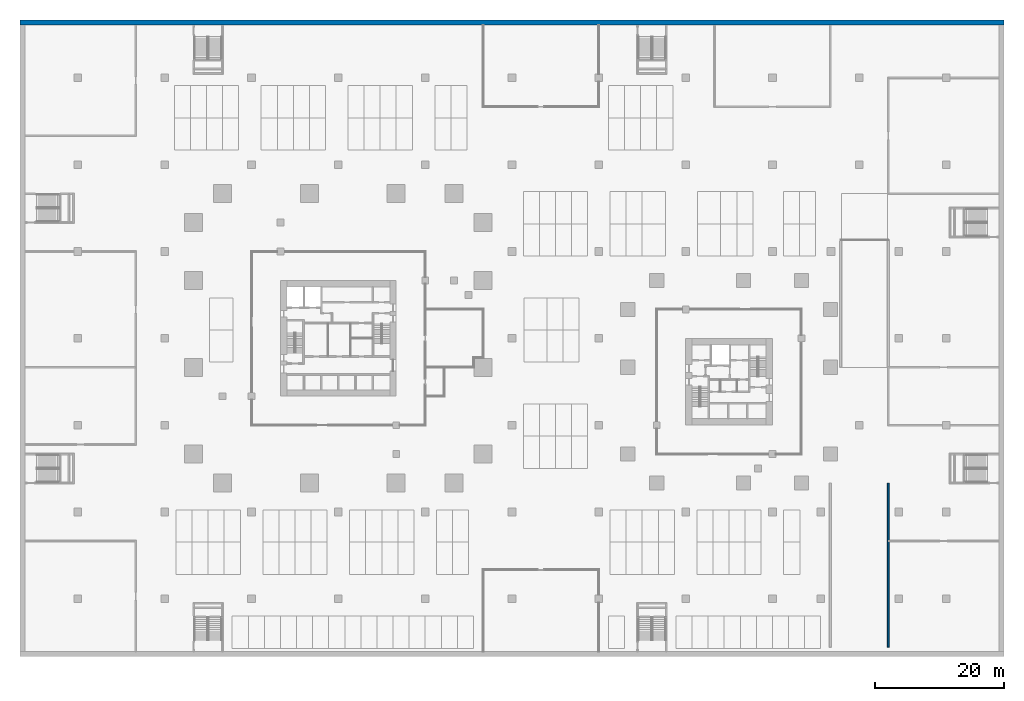
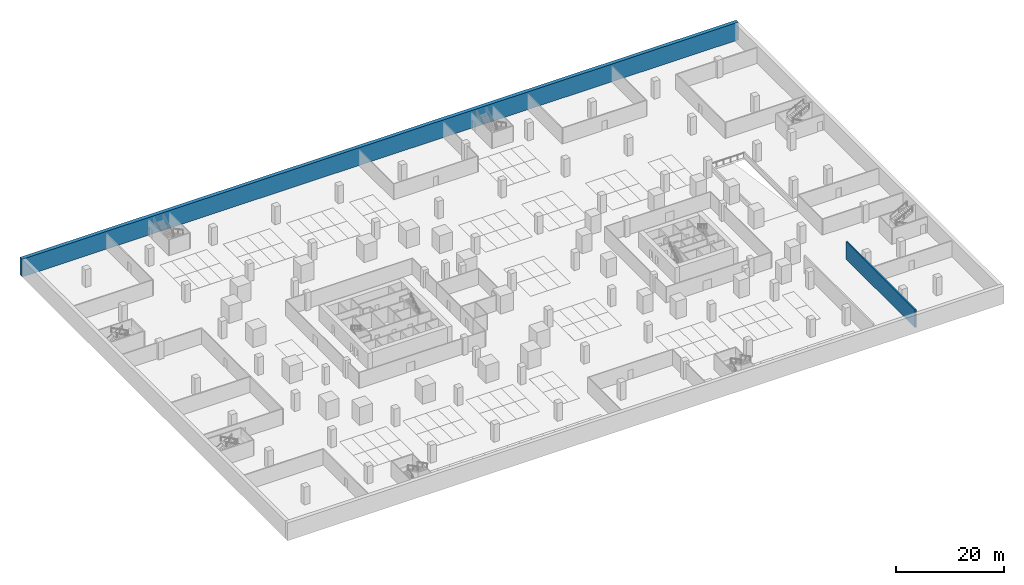
# One storey, part 11 of 31: 2 walls.
"""IFC4 building model written with IfcOpenShell, lengths in metres."""

import ifcopenshell
import ifcopenshell.guid

model = None  # the IFC model being written
_history = None  # IfcOwnerHistory: only IFC2X3 demands one
_inside = {}  # id of a spatial element -> (the spatial element, [elements in it])
_under = {}  # id of a project, library or spatial element -> (it, [spatial elements below it])
_declared = {}  # id of a project -> (the project, [libraries it declares])
_typed = {}  # id of a type object -> (the type object, [elements of that type])
_made_of = {}  # id of a material, layer set ... -> (it, [elements and type objects made of it])


def new_model(schema):
    """Start an empty IFC model of exactly this schema.

    Asked for "IFC4X3", IfcOpenShell would pick the latest addendum, in which some entities
    have other attributes; the version numbers below select the first issue.
    IFC2X3 requires an IfcOwnerHistory on every rooted entity: one is made here for all.
    """
    global model, _history
    if schema == "IFC4X3":
        model = ifcopenshell.file(schema_version=(4, 3, 0, 0))
    else:
        model = ifcopenshell.file(schema=schema)
    _inside.clear()
    _under.clear()
    _declared.clear()
    _typed.clear()
    _made_of.clear()
    _history = None
    if model.schema == "IFC2X3":
        org = make("IfcOrganization", Name="unknown")
        user = make(
            "IfcPersonAndOrganization",
            ThePerson=make("IfcPerson", FamilyName="unknown"),
            TheOrganization=org,
        )
        app = make(
            "IfcApplication",
            ApplicationDeveloper=org,
            Version="unknown",
            ApplicationFullName="unknown",
            ApplicationIdentifier="unknown",
        )
        _history = make(
            "IfcOwnerHistory",
            OwningUser=user,
            OwningApplication=app,
            ChangeAction="ADDED",
            CreationDate=0,
        )
    return model


def make(cls, **values):
    """One entity of the class cls with the attributes given. An attribute that is None is left unset."""
    return model.create_entity(
        cls, **{name: value for name, value in values.items() if value is not None}
    )


def rooted(cls, **values):
    """An entity with a GlobalId (a new one), such as an element, a storey or a relation."""
    return make(cls, GlobalId=ifcopenshell.guid.new(), OwnerHistory=_history, **values)


def si_unit(unit_type, name, prefix=None):
    """IfcSIUnit, for example si_unit("LENGTHUNIT", "METRE", prefix="MILLI")."""
    return make("IfcSIUnit", UnitType=unit_type, Prefix=prefix, Name=name)


def assignment(units):
    """IfcUnitAssignment: the units of a project."""
    return None if units is None else make("IfcUnitAssignment", Units=units)


def point(xyz):
    """IfcCartesianPoint."""
    return None if xyz is None else make("IfcCartesianPoint", Coordinates=xyz)


def direction(xyz):
    """IfcDirection."""
    return None if xyz is None else make("IfcDirection", DirectionRatios=xyz)


def frame(location, z_axis=None, x_axis=None):
    """IfcAxis2Placement3D, a coordinate frame: its origin and axes. An axis left out is left unset."""
    return make(
        "IfcAxis2Placement3D",
        Location=point(location),
        Axis=direction(z_axis),
        RefDirection=direction(x_axis),
    )


def frame_2d(location, x_axis=None):
    """IfcAxis2Placement2D, a coordinate frame in the plane: its origin and x axis."""
    return make(
        "IfcAxis2Placement2D", Location=point(location), RefDirection=direction(x_axis)
    )


def origin():
    """The frame at (0, 0, 0) with its axes left unset."""
    return frame((0.0, 0.0, 0.0))


def place(relative_to, where):
    """IfcLocalPlacement: puts the frame where relative to a parent placement (None: the world)."""
    return make(
        "IfcLocalPlacement", PlacementRelTo=relative_to, RelativePlacement=where
    )


def context(
    kind, dimensions, precision=None, world=None, true_north=None, identifier=None
):
    """IfcGeometricRepresentationContext, for example the 3D "Model" context."""
    return make(
        "IfcGeometricRepresentationContext",
        ContextIdentifier=identifier,
        ContextType=kind,
        CoordinateSpaceDimension=dimensions,
        Precision=precision,
        WorldCoordinateSystem=world,
        TrueNorth=true_north,
    )


def subcontext(parent, identifier, kind, view, scale=None):
    """IfcGeometricRepresentationSubContext, for example "Body" below "Model"."""
    return make(
        "IfcGeometricRepresentationSubContext",
        ContextIdentifier=identifier,
        ContextType=kind,
        ParentContext=parent,
        TargetScale=scale,
        TargetView=view,
    )


def project(units=None, contexts=None):
    """IfcProject with its units and contexts."""
    return rooted(
        "IfcProject",
        Name="project",
        RepresentationContexts=contexts,
        UnitsInContext=assignment(units),
    )


def spatial(cls, under=None, at=None, **own):
    """A site, building, storey or space (cls), placed at a placement, below another one or the project."""
    s = rooted(cls, ObjectPlacement=at, **own)
    if under is not None:
        _under.setdefault(under.id(), (under, []))[1].append(s)
    return s


def profile(cls, at=None, kind="AREA", **sizes):
    """A parametric profile (cls). Its sizes go by their IFC names, for example OverallWidth=200.0."""
    return make(cls, ProfileType=kind, Position=at, **sizes)


def rectangle(**sizes):
    """IfcRectangleProfileDef."""
    return profile("IfcRectangleProfileDef", **sizes)


def extrude(swept, where, along, depth):
    """IfcExtrudedAreaSolid: the profile swept, set in the frame where, extruded along a direction by depth."""
    return make(
        "IfcExtrudedAreaSolid",
        SweptArea=swept,
        Position=where,
        ExtrudedDirection=direction(along),
        Depth=depth,
    )


def shape(context_of_items, identifier, shape_type, items):
    """IfcShapeRepresentation: the items that make up one representation, for example the "Body"."""
    return make(
        "IfcShapeRepresentation",
        ContextOfItems=context_of_items,
        RepresentationIdentifier=identifier,
        RepresentationType=shape_type,
        Items=items,
    )


def material(Name=None, Category=None):
    """IfcMaterial."""
    return make("IfcMaterial", Name=Name, Category=Category)


def layer(
    of_material, thickness, ventilated=None, Name=None, Category=None, Priority=None
):
    """IfcMaterialLayer: one layer of a wall or slab, of a material (None: an air gap)."""
    return make(
        "IfcMaterialLayer",
        Material=of_material,
        LayerThickness=thickness,
        IsVentilated=ventilated,
        Name=Name,
        Category=Category,
        Priority=Priority,
    )


def layer_set(layers, Name=None):
    """IfcMaterialLayerSet."""
    return make("IfcMaterialLayerSet", MaterialLayers=layers, LayerSetName=Name)


def made_of(thing, what):
    """Note that an element or type object is made of a material, layer set ...; save() writes the relation."""
    if what is not None:
        _made_of.setdefault(what.id(), (what, []))[1].append(thing)
    return thing


def type_object(cls, material=None, **own):
    """A type object (cls), such as IfcWallType, which elements share."""
    return made_of(rooted(cls, **own), material)


def element(
    cls,
    number,
    at=None,
    inside=None,
    cuts=None,
    type_object=None,
    material=None,
    context=None,
    identifier="Body",
    shape_type=None,
    held_by="IfcProductDefinitionShape",
    body=None,
    shapes=None,
    **own,
):
    """One element of the class cls, such as IfcWall. Its Tag is "e" and its number.

    at: its placement. inside: the storey or other place that contains it. cuts: it is an
    opening in that element (IfcRelVoidsElement). A single representation is given by context,
    identifier, shape_type and body (its items); several are given by shapes. held_by: the class
    of the entity that holds the representations. save() writes the other relations.
    """
    e = rooted(cls, Tag="e%d" % number, ObjectPlacement=at, **own)
    if body is not None:
        shapes = [shape(context, identifier, shape_type, body)]
    if shapes is not None:
        e.Representation = make(held_by, Representations=shapes)
    if inside is not None:
        _inside.setdefault(inside.id(), (inside, []))[1].append(e)
    if cuts is not None:
        rooted(
            "IfcRelVoidsElement", RelatingBuildingElement=cuts, RelatedOpeningElement=e
        )
    if type_object is not None:
        _typed.setdefault(type_object.id(), (type_object, []))[1].append(e)
    return made_of(e, material)


def aggregate(whole, parts):
    """IfcRelAggregates: a whole, such as a stair, and the parts it consists of."""
    return rooted("IfcRelAggregates", RelatingObject=whole, RelatedObjects=parts)


def save(model, path):
    """Write the relations noted so far, then the file.

    IfcRelAggregates (storeys below a building ...), IfcRelContainedInSpatialStructure (elements
    in a storey), IfcRelDefinesByType, IfcRelAssociatesMaterial and IfcRelDeclares: one each for
    every whole, place, type object, material and project.
    """
    for whole, parts in _under.values():
        aggregate(whole, parts)
    for where, things in _inside.values():
        rooted(
            "IfcRelContainedInSpatialStructure",
            RelatedElements=things,
            RelatingStructure=where,
        )
    for kind, things in _typed.values():
        rooted("IfcRelDefinesByType", RelatedObjects=things, RelatingType=kind)
    for what, things in _made_of.values():
        rooted("IfcRelAssociatesMaterial", RelatedObjects=things, RelatingMaterial=what)
    for by, libraries in _declared.values():
        rooted("IfcRelDeclares", RelatingContext=by, RelatedDefinitions=libraries)
    model.write(path)


model = new_model("IFC4")

# Units and contexts
model_context = context("Model", 3, precision=1e-05, world=origin(), true_north=direction((0.0, 1.0)))
body_context = subcontext(model_context, "Body", "Model", "MODEL_VIEW")
ifc_project = project(units=[si_unit("LENGTHUNIT", "METRE"), si_unit("AREAUNIT", "SQUARE_METRE"), si_unit("VOLUMEUNIT", "CUBIC_METRE"), si_unit("PLANEANGLEUNIT", "RADIAN"), si_unit("MASSUNIT", "GRAM", prefix="KILO")], contexts=[model_context])

# Site, building, storey
site_placement = place(None, origin())
site = spatial("IfcSite", under=ifc_project, at=site_placement, CompositionType="ELEMENT")
building_placement = place(site_placement, origin())
building = spatial("IfcBuilding", under=site, at=building_placement, Name="Altepetl Exchange Towers", CompositionType="ELEMENT")
storey_placement = place(building_placement, frame((0.0, 0.0, -4.0)))
storey = spatial("IfcBuildingStorey", under=building, at=storey_placement, Name="B1 Basement services", CompositionType="ELEMENT", Elevation=-4.0)

# Walls
ifc_material_1 = material(Name="Reinforced concrete C35/45", Category="concrete")
ifc_layer_1 = layer(ifc_material_1, 0.300048828125)
ifc_layer_set_1 = layer_set([ifc_layer_1], Name="Reinforced concrete C35/45")
wall_type_1 = type_object("IfcWallType", Name="Ramp retaining wall 300", PredefinedType="SOLIDWALL", material=ifc_layer_set_1)
wall_1_placement = place(storey_placement, frame((135.0, 1.5, 0.0), z_axis=(0.0, 0.0, 1.0), x_axis=(0.0, 1.0, 0.0)))
element("IfcWall", 1, at=wall_1_placement, inside=storey, type_object=wall_type_1, Name="wall:P:B1:rampR1E", PredefinedType="SOLIDWALL", context=body_context, shape_type="SweptSolid", body=[
    extrude(rectangle(XDim=25.5, YDim=0.300048828125, at=frame_2d((12.75, 0.0))), origin(), (0.0, 0.0, 1.0), 4.0),
])
ifc_material_2 = material(Name="Concrete C60/75", Category="concrete")
ifc_layer_2 = layer(ifc_material_2, 0.800048828125)
ifc_layer_set_2 = layer_set([ifc_layer_2], Name="Concrete C60/75")
wall_type_2 = type_object("IfcWallType", Name="Retaining wall 800", PredefinedType="SOLIDWALL", material=ifc_layer_set_2)
wall_2_placement = place(storey_placement, frame((0.0, 98.60009765625, 0.0)))
element("IfcWall", 2, at=wall_2_placement, inside=storey, type_object=wall_type_2, Name="wall:P:B1:retN", PredefinedType="SOLIDWALL", context=body_context, shape_type="SweptSolid", body=[
    extrude(rectangle(XDim=153.0, YDim=0.800048828125, at=frame_2d((76.5, 0.0))), origin(), (0.0, 0.0, 1.0), 4.0),
])

save(model, "model.ifc")
